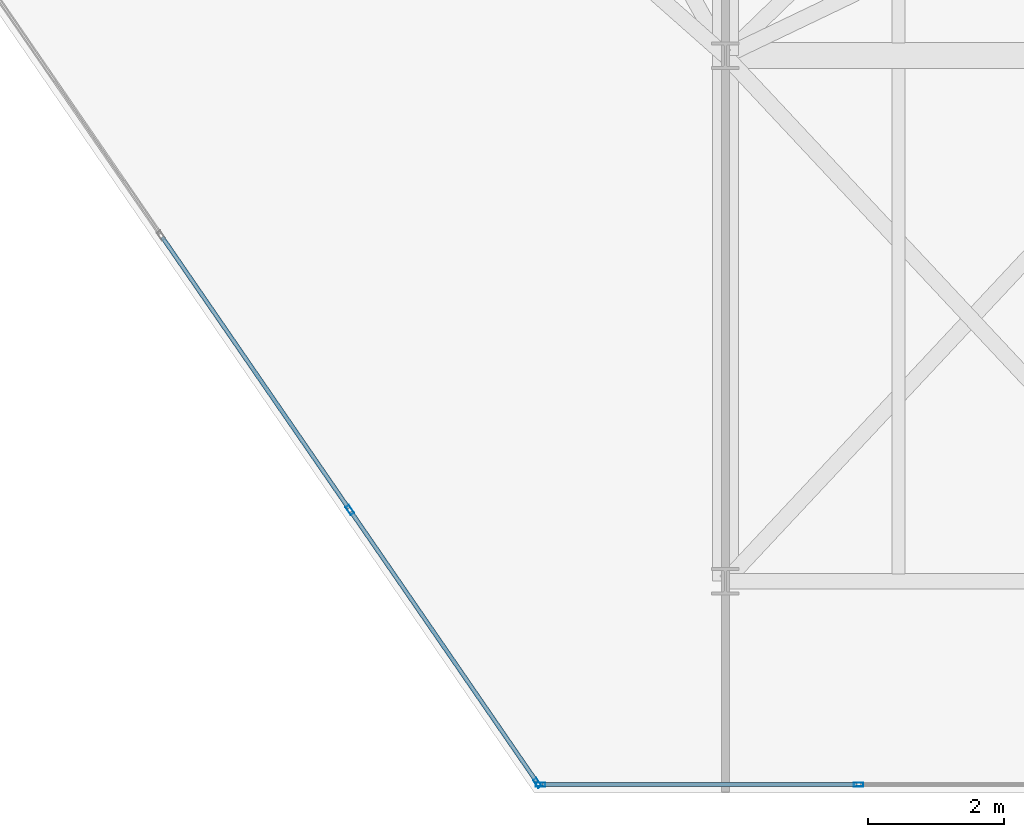
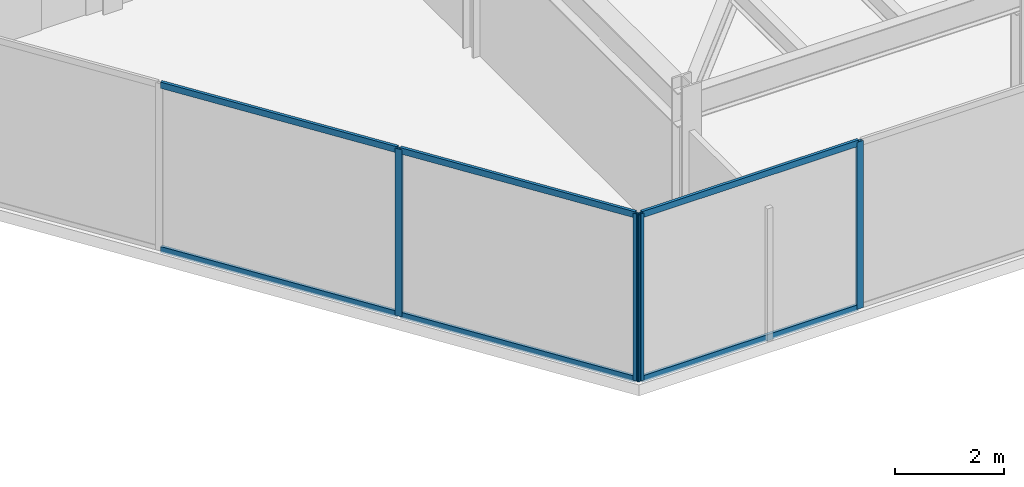
# One storey, part 16 of 26: 10 members, 2 elements without a shape of their own.
"""IFC4 building model written with IfcOpenShell, lengths in metres."""

from ifc_helpers import new_model, si_unit, direction, frame, origin, origin_2d, place, context, subcontext, project, spatial, hollow_rectangle, extrude, material, layer, layer_set, material_profile, profile_set, type_object, element, aggregate, save


model = new_model("IFC4")

# Units and contexts
model_context = context("Model", 3, precision=1e-05, world=origin(), true_north=direction((0.0, 1.0)))
body_context = subcontext(model_context, "Body", "Model", "MODEL_VIEW")
ifc_project = project(units=[si_unit("LENGTHUNIT", "METRE"), si_unit("AREAUNIT", "SQUARE_METRE"), si_unit("VOLUMEUNIT", "CUBIC_METRE"), si_unit("PLANEANGLEUNIT", "RADIAN"), si_unit("MASSUNIT", "GRAM", prefix="KILO")], contexts=[model_context])

# Site, building, storey
site_placement = place(None, origin())
site = spatial("IfcSite", under=ifc_project, at=site_placement, CompositionType="ELEMENT")
building_placement = place(site_placement, origin())
building = spatial("IfcBuilding", under=site, at=building_placement, Name="Kravanh Interchange Tower", CompositionType="ELEMENT")
storey_placement = place(building_placement, frame((0.0, 0.0, 204.5)))
storey = spatial("IfcBuildingStorey", under=building, at=storey_placement, Name="L49", CompositionType="ELEMENT", Elevation=204.5)

# Curtain wall, members
ifc_material_1 = material(Name="Anodised Bronze Aluminium", Category="aluminium")
ifc_layer = layer(ifc_material_1, 0.179931640625)
ifc_layer_set = layer_set([ifc_layer], Name="Unitised Curtain Wall System CW-Z3 Upper Office")
curtain_wall_type = type_object("IfcCurtainWallType", Name="Unitised Curtain Wall System CW-Z3 Upper Office", PredefinedType="NOTDEFINED", material=ifc_layer_set)
curtain_wall_1_placement = place(storey_placement, origin())
curtain_wall_1 = element("IfcCurtainWall", 1, at=curtain_wall_1_placement, inside=storey, type_object=curtain_wall_type, Name="L49 Unitised Curtain Wall CW-L49-03", PredefinedType="NOTDEFINED")
ifc_material_2 = material(Name="Anodised Bronze Aluminium", Category="aluminium")
ifc_material_profile_1 = material_profile(ifc_material_2, hollow_rectangle(XDim=0.06005859375, YDim=0.139892578125, WallThickness=0.00390625, at=origin_2d()), Name="ALU60X140X4")
ifc_profile_set_1 = profile_set([ifc_material_profile_1], Name="Anodised Bronze Aluminium")
member_type_1 = type_object("IfcMemberType", Name="Curtain Wall Mullion ALU60X140X4 Bronze", PredefinedType="MULLION", material=ifc_profile_set_1)
member_1_placement = place(storey_placement, frame((57.9521484375, 11.52001953125, 0.0), z_axis=(0.0, 0.0, 1.0), x_axis=(0.0, -1.0, 0.0)))
member_1 = element("IfcMember", 2, at=member_1_placement, type_object=member_type_1, Name="CW-Z3 mullion 2", PredefinedType="MULLION", context=body_context, shape_type="SweptSolid", body=[
    extrude(hollow_rectangle(XDim=0.06005859375, YDim=0.139892578125, WallThickness=0.00390625, at=origin_2d()), origin(), (0.0, 0.0, 1.0), 3.7548828125),
])
member_2_placement = place(storey_placement, frame((53.293212890625, 11.52001953125, 0.0), z_axis=(0.0, 0.0, 1.0), x_axis=(0.0, -1.0, 0.0)))
member_2 = element("IfcMember", 3, at=member_2_placement, type_object=member_type_1, Name="CW-Z3 mullion 3", PredefinedType="MULLION", context=body_context, shape_type="SweptSolid", body=[
    extrude(hollow_rectangle(XDim=0.06005859375, YDim=0.139892578125, WallThickness=0.00390625, at=origin_2d()), origin(), (0.0, 0.0, 1.0), 3.7548828125),
])

curtain_wall_2_placement = place(storey_placement, origin())
curtain_wall_2 = element("IfcCurtainWall", 4, at=curtain_wall_2_placement, inside=storey, type_object=curtain_wall_type, Name="L49 Unitised Curtain Wall CW-L49-04", PredefinedType="NOTDEFINED")
member_3_placement = place(storey_placement, frame((53.24609375, 11.544677734375, 0.0), z_axis=(0.0, 0.0, 1.0), x_axis=(-0.824042223035, -0.566528388217, 0.0)))
member_3 = element("IfcMember", 5, at=member_3_placement, type_object=member_type_1, Name="CW-Z3 mullion 1", PredefinedType="MULLION", context=body_context, shape_type="SweptSolid", body=[
    extrude(hollow_rectangle(XDim=0.06005859375, YDim=0.139892578125, WallThickness=0.00390625, at=origin_2d()), origin(), (0.0, 0.0, 1.0), 3.7548828125),
])
member_4_placement = place(storey_placement, frame((50.497314453125, 15.54296875, 0.0), z_axis=(0.0, 0.0, 1.0), x_axis=(-0.824042223035, -0.566528388217, 0.0)))
member_4 = element("IfcMember", 6, at=member_4_placement, type_object=member_type_1, Name="CW-Z3 mullion 2", PredefinedType="MULLION", context=body_context, shape_type="SweptSolid", body=[
    extrude(hollow_rectangle(XDim=0.06005859375, YDim=0.139892578125, WallThickness=0.00390625, at=origin_2d()), origin(), (0.0, 0.0, 1.0), 3.7548828125),
])

# Member
ifc_material_3 = material(Name="Anodised Bronze Aluminium", Category="aluminium")
ifc_material_profile_2 = material_profile(ifc_material_3, hollow_rectangle(XDim=0.06005859375, YDim=0.139892578125, WallThickness=0.00390625, at=origin_2d()), Name="ALU60X140X4")
ifc_profile_set_2 = profile_set([ifc_material_profile_2], Name="Anodised Bronze Aluminium")
member_type_2 = type_object("IfcMemberType", Name="Curtain Wall Transom ALU60X140X4 Bronze", PredefinedType="USERDEFINED", material=ifc_profile_set_2)
member_5_placement = place(storey_placement, frame((57.922119140625, 11.52001953125, 0.030029296875), z_axis=(-1.0, 0.0, 0.0), x_axis=(0.0, -1.0, 0.0)))
member_5 = element("IfcMember", 7, at=member_5_placement, type_object=member_type_2, Name="CW-Z3 transom 2.1", ObjectType="TRANSOM", PredefinedType="USERDEFINED", context=body_context, shape_type="SweptSolid", body=[
    extrude(hollow_rectangle(XDim=0.06005859375, YDim=0.139892578125, WallThickness=0.00390625, at=origin_2d()), origin(), (0.0, 0.0, 1.0), 4.59912109375),
])

member_6_placement = place(storey_placement, frame((57.922119140625, 11.52001953125, 3.72509765625), z_axis=(-1.0, 0.0, 0.0), x_axis=(0.0, -1.0, 0.0)))
member_6 = element("IfcMember", 8, at=member_6_placement, type_object=member_type_2, Name="CW-Z3 transom 2.2", ObjectType="TRANSOM", PredefinedType="USERDEFINED", context=body_context, shape_type="SweptSolid", body=[
    extrude(hollow_rectangle(XDim=0.06005859375, YDim=0.139892578125, WallThickness=0.00390625, at=origin_2d()), origin(), (0.0, 0.0, 1.0), 4.59912109375),
])

aggregate(curtain_wall_1, [member_1, member_2, member_5, member_6])

member_7_placement = place(storey_placement, frame((53.22900390625, 11.5693359375, 0.030029296875), z_axis=(-0.566483415384, 0.824073140016, 0.0), x_axis=(-0.824073140016, -0.566483415384, 0.0)))
member_7 = element("IfcMember", 9, at=member_7_placement, type_object=member_type_2, Name="CW-Z3 transom 1.1", ObjectType="TRANSOM", PredefinedType="USERDEFINED", context=body_context, shape_type="SweptSolid", body=[
    extrude(hollow_rectangle(XDim=0.06005859375, YDim=0.139892578125, WallThickness=0.00390625, at=origin_2d()), origin(), (0.0, 0.0, 1.0), 4.7919921875),
])

member_8_placement = place(storey_placement, frame((53.22900390625, 11.5693359375, 3.72509765625), z_axis=(-0.566483415384, 0.824073140016, 0.0), x_axis=(-0.824073140016, -0.566483415384, 0.0)))
member_8 = element("IfcMember", 10, at=member_8_placement, type_object=member_type_2, Name="CW-Z3 transom 1.2", ObjectType="TRANSOM", PredefinedType="USERDEFINED", context=body_context, shape_type="SweptSolid", body=[
    extrude(hollow_rectangle(XDim=0.06005859375, YDim=0.139892578125, WallThickness=0.00390625, at=origin_2d()), origin(), (0.0, 0.0, 1.0), 4.7919921875),
])

member_9_placement = place(storey_placement, frame((50.480224609375, 15.567626953125, 0.030029296875), z_axis=(-0.566503037389, 0.824059651135, 0.0), x_axis=(-0.824059651135, -0.566503037389, 0.0)))
member_9 = element("IfcMember", 11, at=member_9_placement, type_object=member_type_2, Name="CW-Z3 transom 2.1", ObjectType="TRANSOM", PredefinedType="USERDEFINED", context=body_context, shape_type="SweptSolid", body=[
    extrude(hollow_rectangle(XDim=0.06005859375, YDim=0.139892578125, WallThickness=0.00390625, at=origin_2d()), origin(), (0.0, 0.0, 1.0), 4.822021484375),
])

member_10_placement = place(storey_placement, frame((50.480224609375, 15.567626953125, 3.72509765625), z_axis=(-0.566503037389, 0.824059651135, 0.0), x_axis=(-0.824059651135, -0.566503037389, 0.0)))
member_10 = element("IfcMember", 12, at=member_10_placement, type_object=member_type_2, Name="CW-Z3 transom 2.2", ObjectType="TRANSOM", PredefinedType="USERDEFINED", context=body_context, shape_type="SweptSolid", body=[
    extrude(hollow_rectangle(XDim=0.06005859375, YDim=0.139892578125, WallThickness=0.00390625, at=origin_2d()), origin(), (0.0, 0.0, 1.0), 4.822021484375),
])

aggregate(curtain_wall_2, [member_3, member_4, member_7, member_8, member_9, member_10])

save(model, "model.ifc")
